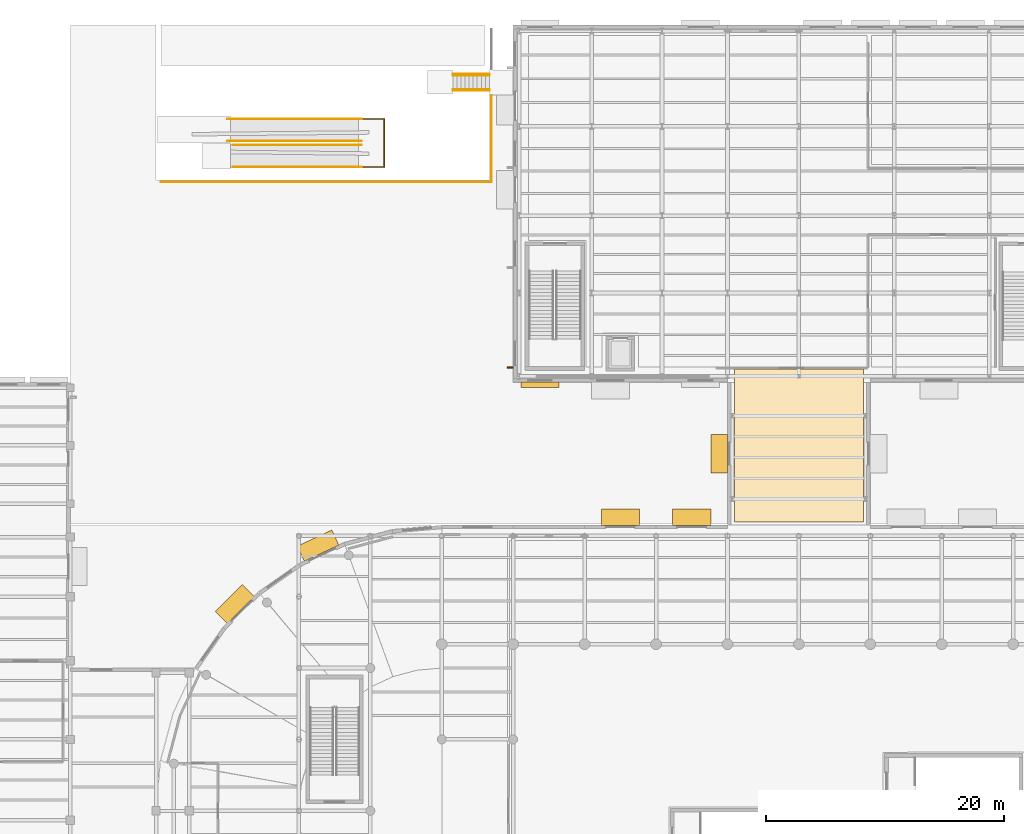
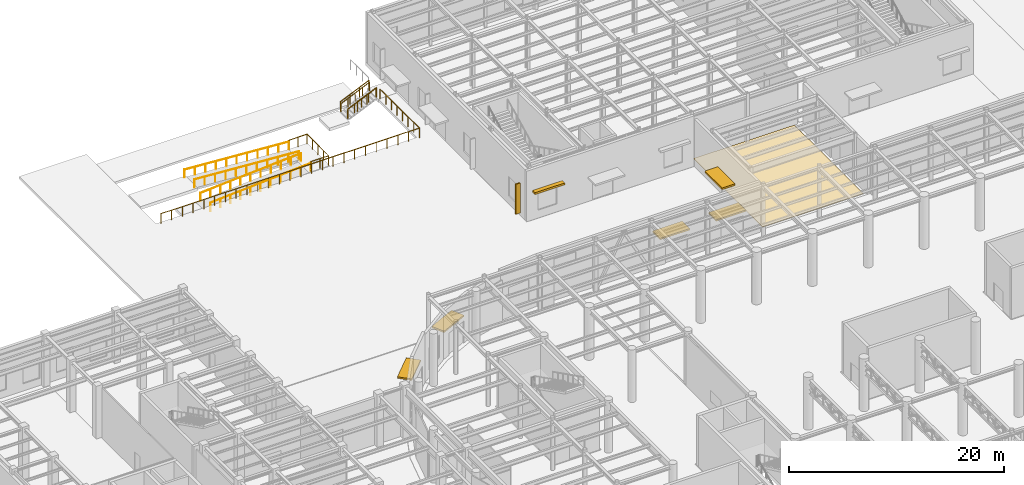
# One storey, part 110 of 118: 10 railings, 7 shading devices, 1 covering, 1 element without a shape of its own.
"""IFC4 building model written with IfcOpenShell, lengths in metres."""

from ifc_helpers import new_model, si_unit, direction, frame, origin, origin_2d, place, context, subcontext, project, spatial, polyline, rectangle, circle, outline, extrude, material, layer, layer_set, type_object, element, aggregate, save


model = new_model("IFC4")

# Units and contexts
model_context = context("Model", 3, precision=1e-05, world=origin(), true_north=direction((0.0, 1.0)))
body_context = subcontext(model_context, "Body", "Model", "MODEL_VIEW")
ifc_project = project(units=[si_unit("LENGTHUNIT", "METRE"), si_unit("AREAUNIT", "SQUARE_METRE"), si_unit("VOLUMEUNIT", "CUBIC_METRE"), si_unit("PLANEANGLEUNIT", "RADIAN"), si_unit("MASSUNIT", "GRAM", prefix="KILO")], contexts=[model_context])

# Site, building, storey
site_placement = place(None, origin())
site = spatial("IfcSite", under=ifc_project, at=site_placement, CompositionType="ELEMENT")
building_placement = place(site_placement, origin())
building = spatial("IfcBuilding", under=site, at=building_placement, Name="Kolvaren Corner Interchange", CompositionType="ELEMENT")
storey_placement = place(building_placement, origin())
storey = spatial("IfcBuildingStorey", under=building, at=storey_placement, Name="L01", CompositionType="ELEMENT", Elevation=0.0)

# Covering
ifc_material_1 = material(Name="Polished Niger Delta Granite Terrazzo Flooring", Category="masonry")
ifc_layer = layer(ifc_material_1, 0.030029296875)
ifc_layer_set = layer_set([ifc_layer], Name="Polished Niger Delta Granite Terrazzo Flooring")
covering_type = type_object("IfcCoveringType", Name="COV-FLR-TER30", PredefinedType="FLOORING", material=ifc_layer_set)
covering_placement = place(storey_placement, origin())
element("IfcCovering", 1, at=covering_placement, inside=storey, type_object=covering_type, Name="L01 Cycle Hub Concourse Link Floor Finish", PredefinedType="FLOORING", context=body_context, shape_type="SweptSolid", body=[
    extrude(outline(polyline([(95.419921875, 72.280029296875), (95.419921875, 85.1201171875), (84.580078125, 85.1201171875), (84.580078125, 72.280029296875), (95.419921875, 72.280029296875)])), origin(), (0.0, 0.0, 1.0), 0.030029296875),
])

# Railings
ifc_material_2 = material(Name="Hot-Dip Galvanised Steel Guardrail", Category="steel")
railing_type_1 = type_object("IfcRailingType", Name="RLT-PLINTH-GRD1120", PredefinedType="GUARDRAIL", material=ifc_material_2)
railing_1_placement = place(storey_placement, frame((36.39990234375, 100.820068359375, 0.0)))
element("IfcRailing", 2, at=railing_1_placement, inside=storey, type_object=railing_type_1, Name="Northwest Ramp Cutout South Plinth Guardrail", PredefinedType="GUARDRAIL", context=body_context, shape_type="SweptSolid", body=[
    extrude(circle(Radius=0.02392578125, at=origin_2d()), frame((0.0, 0.0, 1.09619140625), z_axis=(1.0, 0.0, 0.0), x_axis=(0.0, 1.0, 0.0)), (0.0, 0.0, 1.0), 27.780029296875),
    extrude(circle(Radius=0.02392578125, at=origin_2d()), frame((27.780029296875, 0.0, 1.09619140625), z_axis=(0.0, 1.0, 0.0), x_axis=(-1.0, 0.0, 0.0)), (0.0, 0.0, 1.0), 7.280029296875),
    extrude(circle(Radius=0.02099609375, at=origin_2d()), origin(), (0.0, 0.0, 1.0), 1.072021484375),
    extrude(circle(Radius=0.02099609375, at=origin_2d()), frame((1.157470703125, 0.0, 0.0)), (0.0, 0.0, 1.0), 1.072021484375),
    extrude(circle(Radius=0.02099609375, at=origin_2d()), frame((2.31494140625, 0.0, 0.0)), (0.0, 0.0, 1.0), 1.072021484375),
    extrude(circle(Radius=0.02099609375, at=origin_2d()), frame((3.472412109375, 0.0, 0.0)), (0.0, 0.0, 1.0), 1.072021484375),
    extrude(circle(Radius=0.02099609375, at=origin_2d()), frame((4.6298828125, 0.0, 0.0)), (0.0, 0.0, 1.0), 1.072021484375),
    extrude(circle(Radius=0.02099609375, at=origin_2d()), frame((5.78759765625, 0.0, 0.0)), (0.0, 0.0, 1.0), 1.072021484375),
    extrude(circle(Radius=0.02099609375, at=origin_2d()), frame((6.945068359375, 0.0, 0.0)), (0.0, 0.0, 1.0), 1.072021484375),
    extrude(circle(Radius=0.02099609375, at=origin_2d()), frame((8.1025390625, 0.0, 0.0)), (0.0, 0.0, 1.0), 1.072021484375),
    extrude(circle(Radius=0.02099609375, at=origin_2d()), frame((9.260009765625, 0.0, 0.0)), (0.0, 0.0, 1.0), 1.072021484375),
    extrude(circle(Radius=0.02099609375, at=origin_2d()), frame((10.41748046875, 0.0, 0.0)), (0.0, 0.0, 1.0), 1.072021484375),
    extrude(circle(Radius=0.02099609375, at=origin_2d()), frame((11.574951171875, 0.0, 0.0)), (0.0, 0.0, 1.0), 1.072021484375),
    extrude(circle(Radius=0.02099609375, at=origin_2d()), frame((12.732421875, 0.0, 0.0)), (0.0, 0.0, 1.0), 1.072021484375),
    extrude(circle(Radius=0.02099609375, at=origin_2d()), frame((13.89013671875, 0.0, 0.0)), (0.0, 0.0, 1.0), 1.072021484375),
    extrude(circle(Radius=0.02099609375, at=origin_2d()), frame((15.047607421875, 0.0, 0.0)), (0.0, 0.0, 1.0), 1.072021484375),
    extrude(circle(Radius=0.02099609375, at=origin_2d()), frame((16.205078125, 0.0, 0.0)), (0.0, 0.0, 1.0), 1.072021484375),
    extrude(circle(Radius=0.02099609375, at=origin_2d()), frame((17.362548828125, 0.0, 0.0)), (0.0, 0.0, 1.0), 1.072021484375),
    extrude(circle(Radius=0.02099609375, at=origin_2d()), frame((18.52001953125, 0.0, 0.0)), (0.0, 0.0, 1.0), 1.072021484375),
    extrude(circle(Radius=0.02099609375, at=origin_2d()), frame((19.677490234375, 0.0, 0.0)), (0.0, 0.0, 1.0), 1.072021484375),
    extrude(circle(Radius=0.02099609375, at=origin_2d()), frame((20.8349609375, 0.0, 0.0)), (0.0, 0.0, 1.0), 1.072021484375),
    extrude(circle(Radius=0.02099609375, at=origin_2d()), frame((21.992431640625, 0.0, 0.0)), (0.0, 0.0, 1.0), 1.072021484375),
    extrude(circle(Radius=0.02099609375, at=origin_2d()), frame((23.14990234375, 0.0, 0.0)), (0.0, 0.0, 1.0), 1.072021484375),
    extrude(circle(Radius=0.02099609375, at=origin_2d()), frame((24.3076171875, 0.0, 0.0)), (0.0, 0.0, 1.0), 1.072021484375),
    extrude(circle(Radius=0.02099609375, at=origin_2d()), frame((25.465087890625, 0.0, 0.0)), (0.0, 0.0, 1.0), 1.072021484375),
    extrude(circle(Radius=0.02099609375, at=origin_2d()), frame((26.62255859375, 0.0, 0.0)), (0.0, 0.0, 1.0), 1.072021484375),
    extrude(circle(Radius=0.02099609375, at=origin_2d()), frame((27.780029296875, 0.0, 0.0)), (0.0, 0.0, 1.0), 1.072021484375),
    extrude(circle(Radius=0.02099609375, at=origin_2d()), frame((27.780029296875, 1.0400390625, 0.0)), (0.0, 0.0, 1.0), 1.072021484375),
    extrude(circle(Radius=0.02099609375, at=origin_2d()), frame((27.780029296875, 2.080078125, 0.0)), (0.0, 0.0, 1.0), 1.072021484375),
    extrude(circle(Radius=0.02099609375, at=origin_2d()), frame((27.780029296875, 3.1201171875, 0.0)), (0.0, 0.0, 1.0), 1.072021484375),
    extrude(circle(Radius=0.02099609375, at=origin_2d()), frame((27.780029296875, 4.159912109375, 0.0)), (0.0, 0.0, 1.0), 1.072021484375),
    extrude(circle(Radius=0.02099609375, at=origin_2d()), frame((27.780029296875, 5.199951171875, 0.0)), (0.0, 0.0, 1.0), 1.072021484375),
    extrude(circle(Radius=0.02099609375, at=origin_2d()), frame((27.780029296875, 6.239990234375, 0.0)), (0.0, 0.0, 1.0), 1.072021484375),
    extrude(circle(Radius=0.02099609375, at=origin_2d()), frame((27.780029296875, 7.280029296875, 0.0)), (0.0, 0.0, 1.0), 1.072021484375),
])
railing_2_placement = place(storey_placement, frame((53.25, 102.080078125, -0.75)))
element("IfcRailing", 3, at=railing_2_placement, inside=storey, type_object=railing_type_1, Name="West Cycle Hub Accessible Plinth Ramp Intermediate Landing Guardrail", PredefinedType="GUARDRAIL", context=body_context, shape_type="SweptSolid", body=[
    extrude(circle(Radius=0.02392578125, at=origin_2d()), frame((0.0, 0.0, 1.09619140625), z_axis=(1.0, 0.0, 0.0), x_axis=(0.0, 1.0, 0.0)), (0.0, 0.0, 1.0), 1.919921875),
    extrude(circle(Radius=0.02392578125, at=origin_2d()), frame((1.919921875, 0.0, 1.09619140625), z_axis=(0.0, 1.0, 0.0), x_axis=(-1.0, 0.0, 0.0)), (0.0, 0.0, 1.0), 4.0400390625),
    extrude(circle(Radius=0.02392578125, at=origin_2d()), frame((1.919921875, 4.0400390625, 1.09619140625), z_axis=(-1.0, 0.0, 0.0), x_axis=(0.0, -1.0, 0.0)), (0.0, 0.0, 1.0), 1.919921875),
    extrude(circle(Radius=0.02099609375, at=origin_2d()), origin(), (0.0, 0.0, 1.0), 1.072021484375),
    extrude(circle(Radius=0.02099609375, at=origin_2d()), frame((0.9599609375, 0.0, 0.0)), (0.0, 0.0, 1.0), 1.072021484375),
    extrude(circle(Radius=0.02099609375, at=origin_2d()), frame((1.919921875, 0.0, 0.0)), (0.0, 0.0, 1.0), 1.072021484375),
    extrude(circle(Radius=0.02099609375, at=origin_2d()), frame((1.919921875, 1.010009765625, 0.0)), (0.0, 0.0, 1.0), 1.072021484375),
    extrude(circle(Radius=0.02099609375, at=origin_2d()), frame((1.919921875, 2.02001953125, 0.0)), (0.0, 0.0, 1.0), 1.072021484375),
    extrude(circle(Radius=0.02099609375, at=origin_2d()), frame((1.919921875, 3.030029296875, 0.0)), (0.0, 0.0, 1.0), 1.072021484375),
    extrude(circle(Radius=0.02099609375, at=origin_2d()), frame((1.919921875, 4.0400390625, 0.0)), (0.0, 0.0, 1.0), 1.072021484375),
    extrude(circle(Radius=0.02099609375, at=origin_2d()), frame((0.9599609375, 4.0400390625, 0.0)), (0.0, 0.0, 1.0), 1.072021484375),
    extrude(circle(Radius=0.02099609375, at=origin_2d()), frame((0.0, 4.0400390625, 0.0)), (0.0, 0.0, 1.0), 1.072021484375),
])

# Stair, railings
ifc_material_3 = material(Name="Concrete C35/45", Category="concrete")
stair_type = type_object("IfcStairType", Name="ST-CIV-1500", PredefinedType="STRAIGHT_RUN_STAIR", material=ifc_material_3)
stair_placement = place(storey_placement, origin())
stair = element("IfcStair", 4, at=stair_placement, inside=storey, type_object=stair_type, Name="Northwest Cycle Hub Civic Plinth Steps", PredefinedType="STRAIGHT_RUN_STAIR")
railing_3_placement = place(storey_placement, frame((60.93994140625, 108.52001953125, -1.35009765625)))
railing_3 = element("IfcRailing", 5, at=railing_3_placement, type_object=railing_type_1, Name="Northwest Cycle Hub Civic Plinth Steps South Cheek Guardrail", PredefinedType="GUARDRAIL", context=body_context, shape_type="SweptSolid", body=[
    extrude(circle(Radius=0.02392578125, at=origin_2d()), frame((0.0, 0.0, 1.09619140625), z_axis=(0.914909872985, 0.0, 0.403658177565), x_axis=(0.0, 1.0, 0.0)), (0.0, 0.0, 1.0), 3.3447265625),
    extrude(circle(Radius=0.02099609375, at=origin_2d()), origin(), (0.0, 0.0, 1.0), 1.072021484375),
    extrude(circle(Radius=0.02099609375, at=origin_2d()), frame((1.02001953125, 0.0, 0.449951171875)), (0.0, 0.0, 1.0), 1.072021484375),
    extrude(circle(Radius=0.02099609375, at=origin_2d()), frame((2.0400390625, 0.0, 0.900146484375)), (0.0, 0.0, 1.0), 1.072021484375),
    extrude(circle(Radius=0.02099609375, at=origin_2d()), frame((3.06005859375, 0.0, 1.35009765625)), (0.0, 0.0, 1.0), 1.072021484375),
])
railing_4_placement = place(storey_placement, frame((60.93994140625, 109.8798828125, -1.35009765625)))
railing_4 = element("IfcRailing", 6, at=railing_4_placement, type_object=railing_type_1, Name="Northwest Cycle Hub Civic Plinth Steps North Cheek Guardrail", PredefinedType="GUARDRAIL", context=body_context, shape_type="SweptSolid", body=[
    extrude(circle(Radius=0.02392578125, at=origin_2d()), frame((0.0, 0.0, 1.09619140625), z_axis=(0.914909872985, 0.0, 0.403658177565), x_axis=(0.0, 1.0, 0.0)), (0.0, 0.0, 1.0), 3.3447265625),
    extrude(circle(Radius=0.02099609375, at=origin_2d()), origin(), (0.0, 0.0, 1.0), 1.072021484375),
    extrude(circle(Radius=0.02099609375, at=origin_2d()), frame((1.02001953125, 0.0, 0.449951171875)), (0.0, 0.0, 1.0), 1.072021484375),
    extrude(circle(Radius=0.02099609375, at=origin_2d()), frame((2.0400390625, 0.0, 0.900146484375)), (0.0, 0.0, 1.0), 1.072021484375),
    extrude(circle(Radius=0.02099609375, at=origin_2d()), frame((3.06005859375, 0.0, 1.35009765625)), (0.0, 0.0, 1.0), 1.072021484375),
])

# Railings
ifc_material_4 = material(Name="Brushed Stainless Steel Accessible Handrail", Category="steel")
railing_type_2 = type_object("IfcRailingType", Name="RLT-RAMP-HR950", PredefinedType="HANDRAIL", material=ifc_material_4)
for number, where, name in (
    (7, (42.449951171875, 102.080078125, -1.469970703125), "West Cycle Hub Accessible Plinth Ramp Lower South Handrail"),
    (8, (42.449951171875, 103.919921875, -1.469970703125), "West Cycle Hub Accessible Plinth Ramp Lower North Handrail"),
):
    element("IfcRailing", number, at=place(storey_placement, frame(where)), inside=storey, type_object=railing_type_2, Name=name, PredefinedType="HANDRAIL", context=body_context, shape_type="SweptSolid", body=[
        extrude(circle(Radius=0.0224609375, at=origin_2d()), frame((0.0, 0.0, 0.927490234375), z_axis=(0.997785357458, 0.0, 0.066516016437), x_axis=(0.0, 1.0, 0.0)), (0.0, 0.0, 1.0), 10.823974609375),
        extrude(circle(Radius=0.01904296875, at=origin_2d()), origin(), (0.0, 0.0, 1.0), 0.905029296875),
        extrude(circle(Radius=0.01904296875, at=origin_2d()), frame((1.080078125, 0.0, 0.072021484375)), (0.0, 0.0, 1.0), 0.905029296875),
        extrude(circle(Radius=0.01904296875, at=origin_2d()), frame((2.159912109375, 0.0, 0.14404296875)), (0.0, 0.0, 1.0), 0.905029296875),
        extrude(circle(Radius=0.01904296875, at=origin_2d()), frame((3.239990234375, 0.0, 0.216064453125)), (0.0, 0.0, 1.0), 0.905029296875),
        extrude(circle(Radius=0.01904296875, at=origin_2d()), frame((4.320068359375, 0.0, 0.2880859375)), (0.0, 0.0, 1.0), 0.905029296875),
        extrude(circle(Radius=0.01904296875, at=origin_2d()), frame((5.39990234375, 0.0, 0.35986328125)), (0.0, 0.0, 1.0), 0.905029296875),
        extrude(circle(Radius=0.01904296875, at=origin_2d()), frame((6.47998046875, 0.0, 0.431884765625)), (0.0, 0.0, 1.0), 0.905029296875),
        extrude(circle(Radius=0.01904296875, at=origin_2d()), frame((7.56005859375, 0.0, 0.50390625)), (0.0, 0.0, 1.0), 0.905029296875),
        extrude(circle(Radius=0.01904296875, at=origin_2d()), frame((8.64013671875, 0.0, 0.575927734375)), (0.0, 0.0, 1.0), 0.905029296875),
        extrude(circle(Radius=0.01904296875, at=origin_2d()), frame((9.719970703125, 0.0, 0.64794921875)), (0.0, 0.0, 1.0), 0.905029296875),
        extrude(circle(Radius=0.01904296875, at=origin_2d()), frame((10.800048828125, 0.0, 0.719970703125)), (0.0, 0.0, 1.0), 0.905029296875),
    ])
for number, where, name in (
    (9, (53.25, 104.280029296875, -0.75), "West Cycle Hub Accessible Plinth Ramp Upper South Handrail"),
    (10, (53.25, 106.1201171875, -0.75), "West Cycle Hub Accessible Plinth Ramp Upper North Handrail"),
):
    element("IfcRailing", number, at=place(storey_placement, frame(where)), inside=storey, type_object=railing_type_2, Name=name, PredefinedType="HANDRAIL", context=body_context, shape_type="SweptSolid", body=[
        extrude(circle(Radius=0.0224609375, at=origin_2d()), frame((0.0, 0.0, 0.927490234375), z_axis=(-0.997785157857, 0.0, 0.066519010524), x_axis=(0.0, -1.0, 0.0)), (0.0, 0.0, 1.0), 11.27490234375),
        extrude(circle(Radius=0.01904296875, at=origin_2d()), origin(), (0.0, 0.0, 1.0), 0.905029296875),
        extrude(circle(Radius=0.01904296875, at=origin_2d()), frame((-1.125, 0.0, 0.074951171875)), (0.0, 0.0, 1.0), 0.905029296875),
        extrude(circle(Radius=0.01904296875, at=origin_2d()), frame((-2.25, 0.0, 0.14990234375)), (0.0, 0.0, 1.0), 0.905029296875),
        extrude(circle(Radius=0.01904296875, at=origin_2d()), frame((-3.375, 0.0, 0.22509765625)), (0.0, 0.0, 1.0), 0.905029296875),
        extrude(circle(Radius=0.01904296875, at=origin_2d()), frame((-4.5, 0.0, 0.300048828125)), (0.0, 0.0, 1.0), 0.905029296875),
        extrude(circle(Radius=0.01904296875, at=origin_2d()), frame((-5.625, 0.0, 0.375)), (0.0, 0.0, 1.0), 0.905029296875),
        extrude(circle(Radius=0.01904296875, at=origin_2d()), frame((-6.75, 0.0, 0.449951171875)), (0.0, 0.0, 1.0), 0.905029296875),
        extrude(circle(Radius=0.01904296875, at=origin_2d()), frame((-7.875, 0.0, 0.52490234375)), (0.0, 0.0, 1.0), 0.905029296875),
        extrude(circle(Radius=0.01904296875, at=origin_2d()), frame((-9.0, 0.0, 0.60009765625)), (0.0, 0.0, 1.0), 0.905029296875),
        extrude(circle(Radius=0.01904296875, at=origin_2d()), frame((-10.125, 0.0, 0.675048828125)), (0.0, 0.0, 1.0), 0.905029296875),
        extrude(circle(Radius=0.01904296875, at=origin_2d()), frame((-11.25, 0.0, 0.75)), (0.0, 0.0, 1.0), 0.905029296875),
    ])

# Railing
ifc_material_5 = material(Name="Brushed Stainless Steel Stair Handrail", Category="steel")
railing_type_3 = type_object("IfcRailingType", Name="RLT-STAIR-HR950", PredefinedType="HANDRAIL", material=ifc_material_5)
railing_5_placement = place(storey_placement, frame((60.93994140625, 108.615234375, -1.35009765625)))
railing_5 = element("IfcRailing", 11, at=railing_5_placement, type_object=railing_type_3, Name="Northwest Cycle Hub Civic Plinth Steps South Handrail", PredefinedType="HANDRAIL", context=body_context, shape_type="SweptSolid", body=[
    extrude(circle(Radius=0.02197265625, at=origin_2d()), frame((0.0, 0.0, 0.927978515625), z_axis=(0.914909872985, 0.0, 0.403658177565), x_axis=(0.0, 1.0, 0.0)), (0.0, 0.0, 1.0), 3.3447265625),
    extrude(circle(Radius=0.01806640625, at=origin_2d()), origin(), (0.0, 0.0, 1.0), 0.906005859375),
    extrude(circle(Radius=0.01806640625, at=origin_2d()), frame((0.76513671875, 0.0, 0.33740234375)), (0.0, 0.0, 1.0), 0.906005859375),
    extrude(circle(Radius=0.01806640625, at=origin_2d()), frame((1.530029296875, 0.0, 0.675048828125)), (0.0, 0.0, 1.0), 0.906005859375),
    extrude(circle(Radius=0.01806640625, at=origin_2d()), frame((2.294921875, 0.0, 1.0126953125)), (0.0, 0.0, 1.0), 0.906005859375),
    extrude(circle(Radius=0.01806640625, at=origin_2d()), frame((3.06005859375, 0.0, 1.35009765625)), (0.0, 0.0, 1.0), 0.906005859375),
])

railing_6_placement = place(storey_placement, frame((60.93994140625, 109.784912109375, -1.35009765625)))
railing_6 = element("IfcRailing", 12, at=railing_6_placement, type_object=railing_type_3, Name="Northwest Cycle Hub Civic Plinth Steps North Handrail", PredefinedType="HANDRAIL", context=body_context, shape_type="SweptSolid", body=[
    extrude(circle(Radius=0.02197265625, at=origin_2d()), frame((0.0, 0.0, 0.927978515625), z_axis=(0.914909872985, 0.0, 0.403658177565), x_axis=(0.0, 1.0, 0.0)), (0.0, 0.0, 1.0), 3.3447265625),
    extrude(circle(Radius=0.01806640625, at=origin_2d()), origin(), (0.0, 0.0, 1.0), 0.906005859375),
    extrude(circle(Radius=0.01806640625, at=origin_2d()), frame((0.76513671875, 0.0, 0.33740234375)), (0.0, 0.0, 1.0), 0.906005859375),
    extrude(circle(Radius=0.01806640625, at=origin_2d()), frame((1.530029296875, 0.0, 0.675048828125)), (0.0, 0.0, 1.0), 0.906005859375),
    extrude(circle(Radius=0.01806640625, at=origin_2d()), frame((2.294921875, 0.0, 1.0126953125)), (0.0, 0.0, 1.0), 0.906005859375),
    extrude(circle(Radius=0.01806640625, at=origin_2d()), frame((3.06005859375, 0.0, 1.35009765625)), (0.0, 0.0, 1.0), 0.906005859375),
])

aggregate(stair, [railing_3, railing_5, railing_4, railing_6])

# Shading devices
ifc_material_6 = material(Name="Glazed Ochre Ceramic Baguette Solar Louvre")
shading_device_type_1 = type_object("IfcShadingDeviceType", Name="SHD-BAG-H450", PredefinedType="JALOUSIE", material=ifc_material_6)
shading_device_1_placement = place(storey_placement, frame((68.25, 83.7900390625, 3.1298828125), z_axis=(0.0, 0.0, 1.0), x_axis=(1.0, 0.0, 0.0)))
element("IfcShadingDevice", 13, at=shading_device_1_placement, inside=storey, type_object=shading_device_type_1, Name="L01 Ceramic Solar Shading 0245", PredefinedType="JALOUSIE", context=body_context, shape_type="SweptSolid", body=[
    extrude(rectangle(XDim=3.199951171875, YDim=0.449951171875, at=origin_2d()), origin(), (0.0, 0.0, 1.0), 0.219970703125),
])
ifc_material_7 = material(Name="Anodised Aluminium Entrance Rain Canopy", Category="aluminium")
shading_device_type_2 = type_object("IfcShadingDeviceType", Name="SHD-CAN-1400", PredefinedType="AWNING", material=ifc_material_7)
for number, where, z_axis, x_axis, name in (
    (14, (49.610107421875, 70.281005859375, 2.66015625), (0.0, 0.0, 1.0), (-0.906307787037, -0.422618261741, 0.0), "Entrance Monsoon Rain Canopy 010"),
    (15, (42.6162109375, 65.3837890625, 2.66015625), (0.0, 0.0, 1.0), (-0.707106781187, -0.707106781187, 0.0), "Entrance Monsoon Rain Canopy 011"),
    (16, (75.0, 72.675048828125, 2.66015625), (0.0, 0.0, 1.0), (-1.0, 0.0, 0.0), "Entrance Monsoon Rain Canopy 020"),
    (17, (81.0, 72.675048828125, 2.66015625), (0.0, 0.0, 1.0), (-1.0, 0.0, 0.0), "Entrance Monsoon Rain Canopy 021"),
    (18, (83.31494140625, 78.0, 2.4599609375), (0.0, 0.0, 1.0), (0.0, -1.0, 0.0), "Entrance Monsoon Rain Canopy 030"),
):
    element("IfcShadingDevice", number, at=place(storey_placement, frame(where, z_axis=z_axis, x_axis=x_axis)), inside=storey, type_object=shading_device_type_2, Name=name, PredefinedType="AWNING", context=body_context, shape_type="SweptSolid", body=[
        extrude(rectangle(XDim=3.199951171875, YDim=1.39990234375, at=origin_2d()), origin(), (0.0, 0.0, 1.0), 0.179931640625),
    ])
ifc_material_8 = material(Name="Vertical Terracotta Solar Fin", Category="masonry")
shading_device_type_3 = type_object("IfcShadingDeviceType", Name="SHD-FIN-V500", PredefinedType="USERDEFINED", material=ifc_material_8)
shading_device_2_placement = place(storey_placement, frame((65.764892578125, 85.257080078125, 0.300048828125), z_axis=(0.0, 0.0, 1.0), x_axis=(0.0, -1.0, 0.0)))
element("IfcShadingDevice", 19, at=shading_device_2_placement, inside=storey, type_object=shading_device_type_3, Name="L01 Ceramic Solar Shading 0264", ObjectType="SUNSHADE", PredefinedType="USERDEFINED", context=body_context, shape_type="SweptSolid", body=[
    extrude(rectangle(XDim=0.139892578125, YDim=0.5, at=origin_2d()), origin(), (0.0, 0.0, 1.0), 3.39990234375),
])

save(model, "model.ifc")
